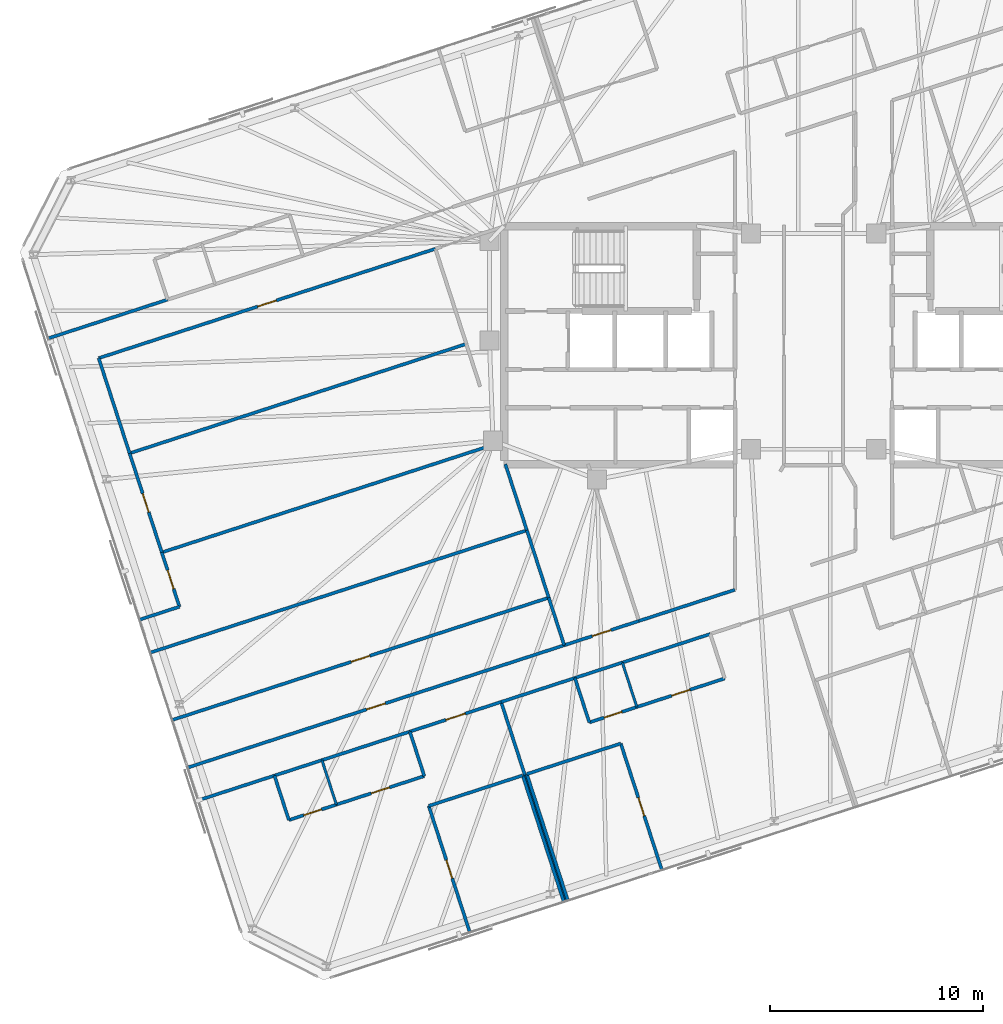
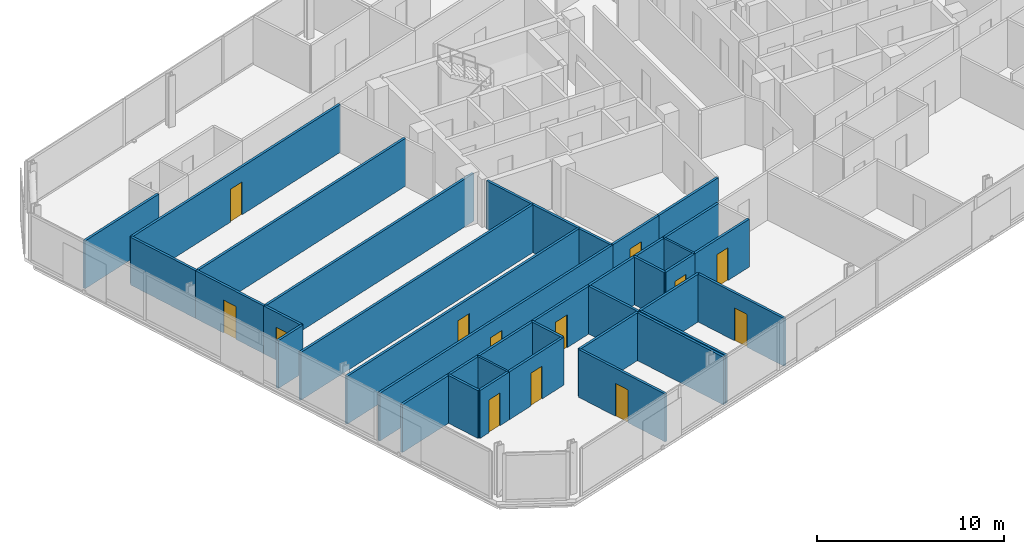
# One storey, part 13 of 19: 39 walls, 13 doors, 13 openings.
"""IFC4 building model written with IfcOpenShell, lengths in metres."""

from ifc_helpers import new_model, si_unit, direction, frame, frame_2d, origin, place, context, subcontext, project, spatial, rectangle, extrude, material, layer, layer_set, type_object, element, fill, save


model = new_model("IFC4")

# Units and contexts
model_context = context("Model", 3, precision=1e-05, world=origin(), true_north=direction((0.0, 1.0)))
body_context = subcontext(model_context, "Body", "Model", "MODEL_VIEW")
ifc_project = project(units=[si_unit("LENGTHUNIT", "METRE"), si_unit("AREAUNIT", "SQUARE_METRE"), si_unit("VOLUMEUNIT", "CUBIC_METRE"), si_unit("PLANEANGLEUNIT", "RADIAN"), si_unit("MASSUNIT", "GRAM", prefix="KILO")], contexts=[model_context])

# Site, building, storey
site_placement = place(None, origin())
site = spatial("IfcSite", under=ifc_project, at=site_placement, CompositionType="ELEMENT")
building_placement = place(site_placement, origin())
building = spatial("IfcBuilding", under=site, at=building_placement, Name="Menara Jurai Vektor", CompositionType="ELEMENT")
storey_placement = place(building_placement, frame((0.0, 0.0, 241.050048828125)))
storey = spatial("IfcBuildingStorey", under=building, at=storey_placement, Name="L64", CompositionType="ELEMENT", Elevation=241.050048828125)

# Walls
ifc_material_1 = material(Name="Gypsum Fireboard Partition", Category="gypsum")
ifc_layer_1 = layer(ifc_material_1, 0.14990234375)
ifc_layer_set_1 = layer_set([ifc_layer_1], Name="Gypsum Fireboard Partition")
wall_type_1 = type_object("IfcWallType", Name="INT-WALL-CORR-150", PredefinedType="PARTITIONING", material=ifc_layer_set_1)
wall_1_placement = place(storey_placement, frame((-36.01220703125, 0.314208984375, 0.0), z_axis=(0.0, 0.0, 1.0), x_axis=(0.951065348244, 0.308989811111, 0.0)))
element("IfcWall", 1, at=wall_1_placement, inside=storey, type_object=wall_type_1, Name="Interior Wall IW-150 L64", PredefinedType="PARTITIONING", context=body_context, shape_type="SweptSolid", body=[
    extrude(rectangle(XDim=5.906982421875, YDim=0.14990234375, at=frame_2d((2.95361328125, 0.0))), origin(), (0.0, 0.0, 1.0), 3.125),
])
wall_2_placement = place(storey_placement, frame((-28.949951171875, -21.42138671875, 0.0), z_axis=(0.0, 0.0, 1.0), x_axis=(0.951052151329, 0.309030428036, 0.0)))
element("IfcWall", 2, at=wall_2_placement, inside=storey, type_object=wall_type_1, Name="Interior Wall IW-150 L64", PredefinedType="PARTITIONING", context=body_context, shape_type="SweptSolid", body=[
    extrude(rectangle(XDim=3.77001953125, YDim=0.14990234375, at=frame_2d((1.885009765625, 0.0))), origin(), (0.0, 0.0, 1.0), 3.125),
])

# Wall, opening, door
wall_3_placement = place(storey_placement, frame((-18.992431640625, -18.185791015625, 0.0), z_axis=(0.0, 0.0, 1.0), x_axis=(0.951067846467, 0.308982121516, 0.0)))
wall_3 = element("IfcWall", 3, at=wall_3_placement, inside=storey, type_object=wall_type_1, Name="Interior Wall IW-150 L64", PredefinedType="PARTITIONING", context=body_context, shape_type="SweptSolid", body=[
    extrude(rectangle(XDim=4.51416015625, YDim=0.14990234375, at=frame_2d((2.257080078125, 0.0))), origin(), (0.0, 0.0, 1.0), 3.125),
])
opening_1_placement = place(wall_3_placement, frame((1.781982421875, 0.0, 0.0)))
opening_1 = element("IfcOpeningElement", 4, at=opening_1_placement, cuts=wall_3, Name="Opening D64-17", PredefinedType="OPENING", context=body_context, shape_type="SweptSolid", body=[
    extrude(rectangle(XDim=0.949951171875, YDim=2.14990234375, at=frame_2d((0.47509765625, 1.074951171875))), frame((0.0, 0.0849609375, 0.0), z_axis=(0.0, -1.0, 0.0), x_axis=(1.0, 0.0, 0.0)), (0.0, 0.0, 1.0), 0.169921875),
])
ifc_material_2 = material(Name="Solid Core Timber Fire Door", Category="wood")
door_type_1 = type_object("IfcDoorType", Name="DR-ENTRY-950", OperationType="NOTDEFINED", PredefinedType="DOOR", material=ifc_material_2)
door_1_placement = place(opening_1_placement, origin())
door_1 = element("IfcDoor", 5, at=door_1_placement, inside=storey, type_object=door_type_1, Name="Interior Door D64-17", OperationType="SINGLE_SWING_RIGHT", OverallHeight=2.14990234375, OverallWidth=0.949951171875, PredefinedType="DOOR", context=body_context, shape_type="SweptSolid", body=[
    extrude(rectangle(XDim=0.949951171875, YDim=2.14990234375, at=frame_2d((0.47509765625, 1.074951171875))), frame((0.0, 0.02490234375, 0.0), z_axis=(0.0, -1.0, 0.0), x_axis=(1.0, 0.0, 0.0)), (0.0, 0.0, 1.0), 0.050048828125),
])
fill(opening_1, door_1)

# Walls
wall_4_placement = place(storey_placement, frame((-25.364501953125, -20.25634765625, 0.0), z_axis=(0.0, 0.0, 1.0), x_axis=(0.951076048914, 0.308956872689, 0.0)))
element("IfcWall", 6, at=wall_4_placement, inside=storey, type_object=wall_type_1, Name="Interior Wall IW-150 L64", PredefinedType="PARTITIONING", context=body_context, shape_type="SweptSolid", body=[
    extrude(rectangle(XDim=2.35009765625, YDim=0.14990234375, at=frame_2d((1.175048828125, 0.0))), origin(), (0.0, 0.0, 1.0), 3.125),
])
wall_5_placement = place(storey_placement, frame((-23.12939453125, -19.5302734375, 0.0), z_axis=(0.0, 0.0, 1.0), x_axis=(0.951036130958, 0.309079726951, 0.0)))
element("IfcWall", 7, at=wall_5_placement, inside=storey, type_object=wall_type_1, Name="Interior Wall IW-150 L64", PredefinedType="PARTITIONING", context=body_context, shape_type="SweptSolid", body=[
    extrude(rectangle(XDim=4.349853515625, YDim=0.14990234375, at=frame_2d((2.1748046875, 0.0))), origin(), (0.0, 0.0, 1.0), 3.125),
])
wall_6_placement = place(storey_placement, frame((-14.69921875, -16.791015625, 0.0), z_axis=(0.0, 0.0, 1.0), x_axis=(0.951050780541, 0.309034646652, 0.0)))
element("IfcWall", 8, at=wall_6_placement, inside=storey, type_object=wall_type_1, Name="Interior Wall IW-150 L64", PredefinedType="PARTITIONING", context=body_context, shape_type="SweptSolid", body=[
    extrude(rectangle(XDim=3.64990234375, YDim=0.14990234375, at=frame_2d((1.824951171875, 0.0))), origin(), (0.0, 0.0, 1.0), 3.125),
])
wall_7_placement = place(storey_placement, frame((-11.22802734375, -15.6630859375, 0.0), z_axis=(0.0, 0.0, 1.0), x_axis=(0.951076048914, 0.308956872689, 0.0)))
element("IfcWall", 9, at=wall_7_placement, inside=storey, type_object=wall_type_1, Name="Interior Wall IW-150 L64", PredefinedType="PARTITIONING", context=body_context, shape_type="SweptSolid", body=[
    extrude(rectangle(XDim=2.35009765625, YDim=0.14990234375, at=frame_2d((1.175048828125, 0.0))), origin(), (0.0, 0.0, 1.0), 3.125),
])
wall_8_placement = place(storey_placement, frame((-8.992919921875, -14.93701171875, 0.0), z_axis=(0.0, 0.0, 1.0), x_axis=(0.951052627573, 0.309028962374, 0.0)))
element("IfcWall", 10, at=wall_8_placement, inside=storey, type_object=wall_type_1, Name="Interior Wall IW-150 L64", PredefinedType="PARTITIONING", context=body_context, shape_type="SweptSolid", body=[
    extrude(rectangle(XDim=4.349853515625, YDim=0.14990234375, at=frame_2d((2.1748046875, 0.0))), origin(), (0.0, 0.0, 1.0), 3.125),
])

# Wall, opening, door
wall_9_placement = place(storey_placement, frame((-29.450439453125, -19.880615234375, 0.0), z_axis=(0.0, 0.0, 1.0), x_axis=(0.95105650271, 0.309017036186, 0.0)))
wall_9 = element("IfcWall", 11, at=wall_9_placement, inside=storey, type_object=wall_type_1, Name="Interior Wall IW-150 L64", PredefinedType="PARTITIONING", context=body_context, shape_type="SweptSolid", body=[
    extrude(rectangle(XDim=18.6318359375, YDim=0.14990234375, at=frame_2d((9.31591796875, 0.0))), origin(), (0.0, 0.0, 1.0), 3.125),
])
opening_2_placement = place(wall_9_placement, frame((8.85595703125, 0.0, 0.0)))
opening_2 = element("IfcOpeningElement", 12, at=opening_2_placement, cuts=wall_9, Name="Opening D64-33", PredefinedType="OPENING", context=body_context, shape_type="SweptSolid", body=[
    extrude(rectangle(XDim=0.919921875, YDim=2.14990234375, at=frame_2d((0.4599609375, 1.074951171875))), frame((0.0, 0.0849609375, 0.0), z_axis=(0.0, -1.0, 0.0), x_axis=(1.0, 0.0, 0.0)), (0.0, 0.0, 1.0), 0.169921875),
])
door_2_placement = place(opening_2_placement, origin())
door_2 = element("IfcDoor", 13, at=door_2_placement, inside=storey, type_object=door_type_1, Name="Interior Door D64-33", OperationType="SINGLE_SWING_RIGHT", OverallHeight=2.14990234375, OverallWidth=0.919921875, PredefinedType="DOOR", context=body_context, shape_type="SweptSolid", body=[
    extrude(rectangle(XDim=0.919921875, YDim=2.14990234375, at=frame_2d((0.4599609375, 1.074951171875))), frame((0.0, 0.02490234375, 0.0), z_axis=(0.0, -1.0, 0.0), x_axis=(1.0, 0.0, 0.0)), (0.0, 0.0, 1.0), 0.050048828125),
])
fill(opening_2, door_2)

# Wall
wall_10_placement = place(storey_placement, frame((-31.7119140625, -12.9208984375, 0.0), z_axis=(0.0, 0.0, 1.0), x_axis=(0.951054051148, 0.309024581215, 0.0)))
element("IfcWall", 14, at=wall_10_placement, inside=storey, type_object=wall_type_1, Name="Interior Wall IW-150 L64", PredefinedType="PARTITIONING", context=body_context, shape_type="SweptSolid", body=[
    extrude(rectangle(XDim=1.97509765625, YDim=0.14990234375, at=frame_2d((0.987548828125, 0.0))), origin(), (0.0, 0.0, 1.0), 3.125),
])

# Wall, opening, door
wall_11_placement = place(storey_placement, frame((-29.83349609375, -12.310546875, 0.0), z_axis=(0.0, 0.0, 1.0), x_axis=(-0.309044953986, 0.951047431213, 0.0)))
wall_11 = element("IfcWall", 15, at=wall_11_placement, inside=storey, type_object=wall_type_1, Name="Interior Wall IW-150 L64", PredefinedType="PARTITIONING", context=body_context, shape_type="SweptSolid", body=[
    extrude(rectangle(XDim=2.68505859375, YDim=0.14990234375, at=frame_2d((1.342529296875, 0.0))), origin(), (0.0, 0.0, 1.0), 3.125),
])
opening_3_placement = place(wall_11_placement, frame((0.882568359375, 0.0, 0.0)))
opening_3 = element("IfcOpeningElement", 16, at=opening_3_placement, cuts=wall_11, Name="Opening D64-35", PredefinedType="OPENING", context=body_context, shape_type="SweptSolid", body=[
    extrude(rectangle(XDim=0.919921875, YDim=2.14990234375, at=frame_2d((0.4599609375, 1.074951171875))), frame((0.0, 0.0849609375, 0.0), z_axis=(0.0, -1.0, 0.0), x_axis=(1.0, 0.0, 0.0)), (0.0, 0.0, 1.0), 0.169921875),
])
door_3_placement = place(opening_3_placement, origin())
door_3 = element("IfcDoor", 17, at=door_3_placement, inside=storey, type_object=door_type_1, Name="Interior Door D64-35", OperationType="SINGLE_SWING_RIGHT", OverallHeight=2.14990234375, OverallWidth=0.919921875, PredefinedType="DOOR", context=body_context, shape_type="SweptSolid", body=[
    extrude(rectangle(XDim=0.919921875, YDim=2.14990234375, at=frame_2d((0.4599609375, 1.074951171875))), frame((0.0, 0.02490234375, 0.0), z_axis=(0.0, -1.0, 0.0), x_axis=(1.0, 0.0, 0.0)), (0.0, 0.0, 1.0), 0.050048828125),
])
fill(opening_3, door_3)

wall_12_placement = place(storey_placement, frame((-30.663330078125, -9.7568359375, 0.0), z_axis=(0.0, 0.0, 1.0), x_axis=(-0.309019653166, 0.951055652397, 0.0)))
wall_12 = element("IfcWall", 18, at=wall_12_placement, inside=storey, type_object=wall_type_1, Name="Interior Wall IW-150 L64", PredefinedType="PARTITIONING", context=body_context, shape_type="SweptSolid", body=[
    extrude(rectangle(XDim=4.90380859375, YDim=0.14990234375, at=frame_2d((2.451904296875, 0.0))), origin(), (0.0, 0.0, 1.0), 3.125),
])
opening_4_placement = place(wall_12_placement, frame((1.991943359375, 0.0, 0.0)))
opening_4 = element("IfcOpeningElement", 19, at=opening_4_placement, cuts=wall_12, Name="Opening D64-36", PredefinedType="OPENING", context=body_context, shape_type="SweptSolid", body=[
    extrude(rectangle(XDim=0.919921875, YDim=2.14990234375, at=frame_2d((0.4599609375, 1.074951171875))), frame((0.0, 0.0849609375, 0.0), z_axis=(0.0, -1.0, 0.0), x_axis=(1.0, 0.0, 0.0)), (0.0, 0.0, 1.0), 0.169921875),
])
door_4_placement = place(opening_4_placement, origin())
door_4 = element("IfcDoor", 20, at=door_4_placement, inside=storey, type_object=door_type_1, Name="Interior Door D64-36", OperationType="SINGLE_SWING_LEFT", OverallHeight=2.14990234375, OverallWidth=0.919921875, PredefinedType="DOOR", context=body_context, shape_type="SweptSolid", body=[
    extrude(rectangle(XDim=0.919921875, YDim=2.14990234375, at=frame_2d((0.4599609375, 1.074951171875))), frame((0.0, 0.02490234375, 0.0), z_axis=(0.0, -1.0, 0.0), x_axis=(1.0, 0.0, 0.0)), (0.0, 0.0, 1.0), 0.050048828125),
])
fill(opening_4, door_4)

# Wall
wall_13_placement = place(storey_placement, frame((-32.1787109375, -5.093017578125, 0.0), z_axis=(0.0, 0.0, 1.0), x_axis=(-0.309014532869, 0.951057316083, 0.0)))
element("IfcWall", 21, at=wall_13_placement, inside=storey, type_object=wall_type_1, Name="Interior Wall IW-150 L64", PredefinedType="PARTITIONING", context=body_context, shape_type="SweptSolid", body=[
    extrude(rectangle(XDim=4.707275390625, YDim=0.14990234375, at=frame_2d((2.353515625, 0.0))), origin(), (0.0, 0.0, 1.0), 3.125),
])

# Wall, opening, door
wall_14_placement = place(storey_placement, frame((-33.63330078125, -0.6162109375, 0.0), z_axis=(0.0, 0.0, 1.0), x_axis=(0.951058192995, 0.309011833974, 0.0)))
wall_14 = element("IfcWall", 22, at=wall_14_placement, inside=storey, type_object=wall_type_1, Name="Interior Wall IW-150 L64", PredefinedType="PARTITIONING", context=body_context, shape_type="SweptSolid", body=[
    extrude(rectangle(XDim=16.656982421875, YDim=0.14990234375, at=frame_2d((8.32861328125, 0.0))), origin(), (0.0, 0.0, 1.0), 3.125),
])
opening_5_placement = place(wall_14_placement, frame((7.868408203125, 0.0, 0.0)))
opening_5 = element("IfcOpeningElement", 23, at=opening_5_placement, cuts=wall_14, Name="Opening D64-37", PredefinedType="OPENING", context=body_context, shape_type="SweptSolid", body=[
    extrude(rectangle(XDim=0.919921875, YDim=2.14990234375, at=frame_2d((0.4599609375, 1.074951171875))), frame((0.0, 0.0849609375, 0.0), z_axis=(0.0, -1.0, 0.0), x_axis=(1.0, 0.0, 0.0)), (0.0, 0.0, 1.0), 0.169921875),
])
door_5_placement = place(opening_5_placement, origin())
door_5 = element("IfcDoor", 24, at=door_5_placement, inside=storey, type_object=door_type_1, Name="Interior Door D64-37", OperationType="SINGLE_SWING_RIGHT", OverallHeight=2.14990234375, OverallWidth=0.919921875, PredefinedType="DOOR", context=body_context, shape_type="SweptSolid", body=[
    extrude(rectangle(XDim=0.919921875, YDim=2.14990234375, at=frame_2d((0.4599609375, 1.074951171875))), frame((0.0, 0.02490234375, 0.0), z_axis=(0.0, -1.0, 0.0), x_axis=(1.0, 0.0, 0.0)), (0.0, 0.0, 1.0), 0.050048828125),
])
fill(opening_5, door_5)

wall_15_placement = place(storey_placement, frame((-11.73046875, -14.123046875, 0.0), z_axis=(0.0, 0.0, 1.0), x_axis=(0.951052502763, 0.309029346483, 0.0)))
wall_15 = element("IfcWall", 25, at=wall_15_placement, inside=storey, type_object=wall_type_1, Name="Interior Wall IW-150 L64", PredefinedType="PARTITIONING", context=body_context, shape_type="SweptSolid", body=[
    extrude(rectangle(XDim=3.697998046875, YDim=0.14990234375, at=frame_2d((1.84912109375, 0.0))), origin(), (0.0, 0.0, 1.0), 3.125),
])
opening_6_placement = place(wall_15_placement, frame((1.388916015625, 0.0, 0.0)))
opening_6 = element("IfcOpeningElement", 26, at=opening_6_placement, cuts=wall_15, Name="Opening D64-42", PredefinedType="OPENING", context=body_context, shape_type="SweptSolid", body=[
    extrude(rectangle(XDim=0.919921875, YDim=2.14990234375, at=frame_2d((0.4599609375, 1.074951171875))), frame((0.0, 0.0849609375, 0.0), z_axis=(0.0, -1.0, 0.0), x_axis=(1.0, 0.0, 0.0)), (0.0, 0.0, 1.0), 0.169921875),
])
door_6_placement = place(opening_6_placement, origin())
door_6 = element("IfcDoor", 27, at=door_6_placement, inside=storey, type_object=door_type_1, Name="Interior Door D64-42", OperationType="SINGLE_SWING_LEFT", OverallHeight=2.14990234375, OverallWidth=0.919921875, PredefinedType="DOOR", context=body_context, shape_type="SweptSolid", body=[
    extrude(rectangle(XDim=0.919921875, YDim=2.14990234375, at=frame_2d((0.4599609375, 1.074951171875))), frame((0.0, 0.02490234375, 0.0), z_axis=(0.0, -1.0, 0.0), x_axis=(1.0, 0.0, 0.0)), (0.0, 0.0, 1.0), 0.050048828125),
])
fill(opening_6, door_6)

# Walls
wall_16_placement = place(storey_placement, frame((-8.21337890625, -12.980224609375, 0.0), z_axis=(0.0, 0.0, 1.0), x_axis=(0.951058260096, 0.309011627456, 0.0)))
element("IfcWall", 28, at=wall_16_placement, inside=storey, type_object=wall_type_1, Name="Interior Wall IW-150 L64", PredefinedType="PARTITIONING", context=body_context, shape_type="SweptSolid", body=[
    extrude(rectangle(XDim=4.745849609375, YDim=0.14990234375, at=frame_2d((2.373046875, 0.0))), origin(), (0.0, 0.0, 1.0), 3.125),
])
wall_17_placement = place(storey_placement, frame((-24.6845703125, -22.3486328125, 0.0), z_axis=(0.0, 0.0, 1.0), x_axis=(-0.309060979314, 0.951042223598, 0.0)))
element("IfcWall", 29, at=wall_17_placement, inside=storey, type_object=wall_type_1, Name="Interior Wall IW-150 L64", PredefinedType="PARTITIONING", context=body_context, shape_type="SweptSolid", body=[
    extrude(rectangle(XDim=2.199951171875, YDim=0.14990234375, at=frame_2d((1.10009765625, 0.0))), origin(), (0.0, 0.0, 1.0), 3.125),
])

# Wall, opening, door
wall_18_placement = place(storey_placement, frame((-24.6845703125, -22.3486328125, 0.0), z_axis=(0.0, 0.0, 1.0), x_axis=(0.951066131077, 0.308987401554, 0.0)))
wall_18 = element("IfcWall", 30, at=wall_18_placement, inside=storey, type_object=wall_type_1, Name="Interior Wall IW-150 L64", PredefinedType="PARTITIONING", context=body_context, shape_type="SweptSolid", body=[
    extrude(rectangle(XDim=2.349853515625, YDim=0.14990234375, at=frame_2d((1.1748046875, 0.0))), origin(), (0.0, 0.0, 1.0), 3.125),
])
opening_7_placement = place(wall_18_placement, frame((0.735107421875, 0.0, 0.0)))
opening_7 = element("IfcOpeningElement", 31, at=opening_7_placement, cuts=wall_18, Name="Opening D64-18", PredefinedType="OPENING", context=body_context, shape_type="SweptSolid", body=[
    extrude(rectangle(XDim=0.8798828125, YDim=2.14990234375, at=frame_2d((0.43994140625, 1.074951171875))), frame((0.0, 0.0849609375, 0.0), z_axis=(0.0, -1.0, 0.0), x_axis=(1.0, 0.0, 0.0)), (0.0, 0.0, 1.0), 0.169921875),
])
ifc_material_3 = material(Name="Moisture-Resistant Timber Door", Category="wood")
door_type_2 = type_object("IfcDoorType", Name="DR-BATH-880", OperationType="NOTDEFINED", PredefinedType="DOOR", material=ifc_material_3)
door_7_placement = place(opening_7_placement, origin())
door_7 = element("IfcDoor", 32, at=door_7_placement, inside=storey, type_object=door_type_2, Name="Interior Door D64-18", OperationType="SINGLE_SWING_LEFT", OverallHeight=2.14990234375, OverallWidth=0.8798828125, PredefinedType="DOOR", context=body_context, shape_type="SweptSolid", body=[
    extrude(rectangle(XDim=0.8798828125, YDim=2.14990234375, at=frame_2d((0.43994140625, 1.074951171875))), frame((0.0, 0.02490234375, 0.0), z_axis=(0.0, -1.0, 0.0), x_axis=(1.0, 0.0, 0.0)), (0.0, 0.0, 1.0), 0.050048828125),
])
fill(opening_7, door_7)

wall_19_placement = place(storey_placement, frame((-22.44970703125, -21.62255859375, 0.0), z_axis=(0.0, 0.0, 1.0), x_axis=(0.951057987102, 0.309012467661, 0.0)))
wall_19 = element("IfcWall", 33, at=wall_19_placement, inside=storey, type_object=wall_type_1, Name="Interior Wall IW-150 L64", PredefinedType="PARTITIONING", context=body_context, shape_type="SweptSolid", body=[
    extrude(rectangle(XDim=4.35009765625, YDim=0.14990234375, at=frame_2d((2.175048828125, 0.0))), origin(), (0.0, 0.0, 1.0), 3.125),
])
opening_8_placement = place(wall_19_placement, frame((1.72509765625, 0.0, 0.0)))
opening_8 = element("IfcOpeningElement", 34, at=opening_8_placement, cuts=wall_19, Name="Opening D64-19", PredefinedType="OPENING", context=body_context, shape_type="SweptSolid", body=[
    extrude(rectangle(XDim=0.89990234375, YDim=2.14990234375, at=frame_2d((0.449951171875, 1.074951171875))), frame((0.0, 0.0849609375, 0.0), z_axis=(0.0, -1.0, 0.0), x_axis=(1.0, 0.0, 0.0)), (0.0, 0.0, 1.0), 0.169921875),
])
ifc_material_4 = material(Name="Acoustic Timber Interior Door", Category="wood")
door_type_3 = type_object("IfcDoorType", Name="DR-ROOM-900", OperationType="NOTDEFINED", PredefinedType="DOOR", material=ifc_material_4)
door_8_placement = place(opening_8_placement, origin())
door_8 = element("IfcDoor", 35, at=door_8_placement, inside=storey, type_object=door_type_3, Name="Interior Door D64-19", OperationType="SINGLE_SWING_RIGHT", OverallHeight=2.14990234375, OverallWidth=0.89990234375, PredefinedType="DOOR", context=body_context, shape_type="SweptSolid", body=[
    extrude(rectangle(XDim=0.89990234375, YDim=2.14990234375, at=frame_2d((0.449951171875, 1.074951171875))), frame((0.0, 0.02490234375, 0.0), z_axis=(0.0, -1.0, 0.0), x_axis=(1.0, 0.0, 0.0)), (0.0, 0.0, 1.0), 0.050048828125),
])
fill(opening_8, door_8)

# Wall
wall_20_placement = place(storey_placement, frame((-18.3125, -20.2783203125, 0.0), z_axis=(0.0, 0.0, 1.0), x_axis=(-0.309028364152, 0.951052821956, 0.0)))
element("IfcWall", 36, at=wall_20_placement, inside=storey, type_object=wall_type_1, Name="Interior Wall IW-150 L64", PredefinedType="PARTITIONING", context=body_context, shape_type="SweptSolid", body=[
    extrude(rectangle(XDim=2.2001953125, YDim=0.14990234375, at=frame_2d((1.10009765625, 0.0))), origin(), (0.0, 0.0, 1.0), 3.125),
])

# Wall, opening, door
wall_21_placement = place(storey_placement, frame((-16.169189453125, -27.63818359375, 0.0), z_axis=(0.0, 0.0, 1.0), x_axis=(-0.309049046683, 0.951046101272, 0.0)))
wall_21 = element("IfcWall", 37, at=wall_21_placement, inside=storey, type_object=wall_type_1, Name="Interior Wall IW-150 L64", PredefinedType="PARTITIONING", context=body_context, shape_type="SweptSolid", body=[
    extrude(rectangle(XDim=6.26220703125, YDim=0.14990234375, at=frame_2d((3.131103515625, 0.0))), origin(), (0.0, 0.0, 1.0), 3.125),
])
opening_9_placement = place(wall_21_placement, frame((2.680908203125, 0.0, 0.0)))
opening_9 = element("IfcOpeningElement", 38, at=opening_9_placement, cuts=wall_21, Name="Opening D64-20", PredefinedType="OPENING", context=body_context, shape_type="SweptSolid", body=[
    extrude(rectangle(XDim=0.89990234375, YDim=2.14990234375, at=frame_2d((0.449951171875, 1.074951171875))), frame((0.0, 0.0849609375, 0.0), z_axis=(0.0, -1.0, 0.0), x_axis=(1.0, 0.0, 0.0)), (0.0, 0.0, 1.0), 0.169921875),
])
door_9_placement = place(opening_9_placement, origin())
door_9 = element("IfcDoor", 39, at=door_9_placement, inside=storey, type_object=door_type_3, Name="Interior Door D64-20", OperationType="SINGLE_SWING_LEFT", OverallHeight=2.14990234375, OverallWidth=0.89990234375, PredefinedType="DOOR", context=body_context, shape_type="SweptSolid", body=[
    extrude(rectangle(XDim=0.89990234375, YDim=2.14990234375, at=frame_2d((0.449951171875, 1.074951171875))), frame((0.0, 0.02490234375, 0.0), z_axis=(0.0, -1.0, 0.0), x_axis=(1.0, 0.0, 0.0)), (0.0, 0.0, 1.0), 0.050048828125),
])
fill(opening_9, door_9)

# Walls
wall_22_placement = place(storey_placement, frame((-18.1044921875, -21.6826171875, 0.0), z_axis=(0.0, 0.0, 1.0), x_axis=(0.951055286502, 0.309020779263, 0.0)))
element("IfcWall", 40, at=wall_22_placement, inside=storey, type_object=wall_type_1, Name="Interior Wall IW-150 L64", PredefinedType="PARTITIONING", context=body_context, shape_type="SweptSolid", body=[
    extrude(rectangle(XDim=4.650146484375, YDim=0.14990234375, at=frame_2d((2.3251953125, 0.0))), origin(), (0.0, 0.0, 1.0), 3.125),
])
wall_23_placement = place(storey_placement, frame((-11.746826171875, -26.201171875, 0.0), z_axis=(0.0, 0.0, 1.0), x_axis=(-0.309013782848, 0.951057559777, 0.0)))
element("IfcWall", 41, at=wall_23_placement, inside=storey, type_object=wall_type_1, Name="Interior Wall IW-150 L64", PredefinedType="PARTITIONING", context=body_context, shape_type="SweptSolid", body=[
    extrude(rectangle(XDim=6.261962890625, YDim=0.14990234375, at=frame_2d((3.130859375, 0.0))), origin(), (0.0, 0.0, 1.0), 3.125),
])
wall_24_placement = place(storey_placement, frame((-11.65185546875, -26.17041015625, 0.0), z_axis=(0.0, 0.0, 1.0), x_axis=(-0.308999867152, 0.951062081097, 0.0)))
element("IfcWall", 42, at=wall_24_placement, inside=storey, type_object=wall_type_1, Name="Interior Wall IW-150 L64", PredefinedType="PARTITIONING", context=body_context, shape_type="SweptSolid", body=[
    extrude(rectangle(XDim=9.862060546875, YDim=0.14990234375, at=frame_2d((4.93115234375, 0.0))), origin(), (0.0, 0.0, 1.0), 3.125),
])
wall_25_placement = place(storey_placement, frame((-10.548095703125, -17.75537109375, 0.0), z_axis=(0.0, 0.0, 1.0), x_axis=(-0.309060979314, 0.951042223598, 0.0)))
element("IfcWall", 43, at=wall_25_placement, inside=storey, type_object=wall_type_1, Name="Interior Wall IW-150 L64", PredefinedType="PARTITIONING", context=body_context, shape_type="SweptSolid", body=[
    extrude(rectangle(XDim=2.199951171875, YDim=0.14990234375, at=frame_2d((1.10009765625, 0.0))), origin(), (0.0, 0.0, 1.0), 3.125),
])

# Wall, opening, door
wall_26_placement = place(storey_placement, frame((-10.548095703125, -17.75537109375, 0.0), z_axis=(0.0, 0.0, 1.0), x_axis=(0.951076048914, 0.308956872689, 0.0)))
wall_26 = element("IfcWall", 44, at=wall_26_placement, inside=storey, type_object=wall_type_1, Name="Interior Wall IW-150 L64", PredefinedType="PARTITIONING", context=body_context, shape_type="SweptSolid", body=[
    extrude(rectangle(XDim=2.35009765625, YDim=0.14990234375, at=frame_2d((1.175048828125, 0.0))), origin(), (0.0, 0.0, 1.0), 3.125),
])
opening_10_placement = place(wall_26_placement, frame((0.735107421875, 0.0, 0.0)))
opening_10 = element("IfcOpeningElement", 45, at=opening_10_placement, cuts=wall_26, Name="Opening D64-22", PredefinedType="OPENING", context=body_context, shape_type="SweptSolid", body=[
    extrude(rectangle(XDim=0.8798828125, YDim=2.14990234375, at=frame_2d((0.43994140625, 1.074951171875))), frame((0.0, 0.0849609375, 0.0), z_axis=(0.0, -1.0, 0.0), x_axis=(1.0, 0.0, 0.0)), (0.0, 0.0, 1.0), 0.169921875),
])
door_10_placement = place(opening_10_placement, origin())
door_10 = element("IfcDoor", 46, at=door_10_placement, inside=storey, type_object=door_type_2, Name="Interior Door D64-22", OperationType="SINGLE_SWING_LEFT", OverallHeight=2.14990234375, OverallWidth=0.8798828125, PredefinedType="DOOR", context=body_context, shape_type="SweptSolid", body=[
    extrude(rectangle(XDim=0.8798828125, YDim=2.14990234375, at=frame_2d((0.43994140625, 1.074951171875))), frame((0.0, 0.02490234375, 0.0), z_axis=(0.0, -1.0, 0.0), x_axis=(1.0, 0.0, 0.0)), (0.0, 0.0, 1.0), 0.050048828125),
])
fill(opening_10, door_10)

wall_27_placement = place(storey_placement, frame((-8.31298828125, -17.029296875, 0.0), z_axis=(0.0, 0.0, 1.0), x_axis=(0.951052627573, 0.309028962374, 0.0)))
wall_27 = element("IfcWall", 47, at=wall_27_placement, inside=storey, type_object=wall_type_1, Name="Interior Wall IW-150 L64", PredefinedType="PARTITIONING", context=body_context, shape_type="SweptSolid", body=[
    extrude(rectangle(XDim=4.349853515625, YDim=0.14990234375, at=frame_2d((2.1748046875, 0.0))), origin(), (0.0, 0.0, 1.0), 3.125),
])
opening_11_placement = place(wall_27_placement, frame((1.72509765625, 0.0, 0.0)))
opening_11 = element("IfcOpeningElement", 48, at=opening_11_placement, cuts=wall_27, Name="Opening D64-23", PredefinedType="OPENING", context=body_context, shape_type="SweptSolid", body=[
    extrude(rectangle(XDim=0.89990234375, YDim=2.14990234375, at=frame_2d((0.449951171875, 1.074951171875))), frame((0.0, 0.0849609375, 0.0), z_axis=(0.0, -1.0, 0.0), x_axis=(1.0, 0.0, 0.0)), (0.0, 0.0, 1.0), 0.169921875),
])
door_11_placement = place(opening_11_placement, origin())
door_11 = element("IfcDoor", 49, at=door_11_placement, inside=storey, type_object=door_type_3, Name="Interior Door D64-23", OperationType="SINGLE_SWING_RIGHT", OverallHeight=2.14990234375, OverallWidth=0.89990234375, PredefinedType="DOOR", context=body_context, shape_type="SweptSolid", body=[
    extrude(rectangle(XDim=0.89990234375, YDim=2.14990234375, at=frame_2d((0.449951171875, 1.074951171875))), frame((0.0, 0.02490234375, 0.0), z_axis=(0.0, -1.0, 0.0), x_axis=(1.0, 0.0, 0.0)), (0.0, 0.0, 1.0), 0.050048828125),
])
fill(opening_11, door_11)

# Walls
wall_28_placement = place(storey_placement, frame((-11.556640625, -26.139404296875, 0.0), z_axis=(0.0, 0.0, 1.0), x_axis=(-0.309013782848, 0.951057559777, 0.0)))
element("IfcWall", 50, at=wall_28_placement, inside=storey, type_object=wall_type_1, Name="Interior Wall IW-150 L64", PredefinedType="PARTITIONING", context=body_context, shape_type="SweptSolid", body=[
    extrude(rectangle(XDim=6.261962890625, YDim=0.14990234375, at=frame_2d((3.130859375, 0.0))), origin(), (0.0, 0.0, 1.0), 3.125),
])
wall_29_placement = place(storey_placement, frame((-13.49169921875, -20.183837890625, 0.0), z_axis=(0.0, 0.0, 1.0), x_axis=(0.951065702951, 0.308988719326, 0.0)))
element("IfcWall", 51, at=wall_29_placement, inside=storey, type_object=wall_type_1, Name="Interior Wall IW-150 L64", PredefinedType="PARTITIONING", context=body_context, shape_type="SweptSolid", body=[
    extrude(rectangle(XDim=4.64990234375, YDim=0.14990234375, at=frame_2d((2.324951171875, 0.0))), origin(), (0.0, 0.0, 1.0), 3.125),
])

# Wall, opening, door
wall_30_placement = place(storey_placement, frame((-7.13427734375, -24.702392578125, 0.0), z_axis=(0.0, 0.0, 1.0), x_axis=(-0.30902524124, 0.951053836687, 0.0)))
wall_30 = element("IfcWall", 52, at=wall_30_placement, inside=storey, type_object=wall_type_1, Name="Interior Wall IW-150 L64", PredefinedType="PARTITIONING", context=body_context, shape_type="SweptSolid", body=[
    extrude(rectangle(XDim=6.26171875, YDim=0.14990234375, at=frame_2d((3.130859375, 0.0))), origin(), (0.0, 0.0, 1.0), 3.125),
])
opening_12_placement = place(wall_30_placement, frame((2.680908203125, 0.0, 0.0)))
opening_12 = element("IfcOpeningElement", 53, at=opening_12_placement, cuts=wall_30, Name="Opening D64-24", PredefinedType="OPENING", context=body_context, shape_type="SweptSolid", body=[
    extrude(rectangle(XDim=0.89990234375, YDim=2.14990234375, at=frame_2d((0.449951171875, 1.074951171875))), frame((0.0, 0.0849609375, 0.0), z_axis=(0.0, -1.0, 0.0), x_axis=(1.0, 0.0, 0.0)), (0.0, 0.0, 1.0), 0.169921875),
])
door_12_placement = place(opening_12_placement, origin())
door_12 = element("IfcDoor", 54, at=door_12_placement, inside=storey, type_object=door_type_3, Name="Interior Door D64-24", OperationType="SINGLE_SWING_LEFT", OverallHeight=2.14990234375, OverallWidth=0.89990234375, PredefinedType="DOOR", context=body_context, shape_type="SweptSolid", body=[
    extrude(rectangle(XDim=0.89990234375, YDim=2.14990234375, at=frame_2d((0.449951171875, 1.074951171875))), frame((0.0, 0.02490234375, 0.0), z_axis=(0.0, -1.0, 0.0), x_axis=(1.0, 0.0, 0.0)), (0.0, 0.0, 1.0), 0.050048828125),
])
fill(opening_12, door_12)

wall_31_placement = place(storey_placement, frame((-30.177978515625, -17.641845703125, 0.0), z_axis=(0.0, 0.0, 1.0), x_axis=(0.95105650271, 0.309017036186, 0.0)))
wall_31 = element("IfcWall", 55, at=wall_31_placement, inside=storey, type_object=wall_type_1, Name="Interior Wall IW-150 L64", PredefinedType="PARTITIONING", context=body_context, shape_type="SweptSolid", body=[
    extrude(rectangle(XDim=18.6318359375, YDim=0.14990234375, at=frame_2d((9.31591796875, 0.0))), origin(), (0.0, 0.0, 1.0), 3.125),
])
opening_13_placement = place(wall_31_placement, frame((8.85595703125, 0.0, 0.0)))
opening_13 = element("IfcOpeningElement", 56, at=opening_13_placement, cuts=wall_31, Name="Opening D64-34", PredefinedType="OPENING", context=body_context, shape_type="SweptSolid", body=[
    extrude(rectangle(XDim=0.919921875, YDim=2.14990234375, at=frame_2d((0.4599609375, 1.074951171875))), frame((0.0, 0.0849609375, 0.0), z_axis=(0.0, -1.0, 0.0), x_axis=(1.0, 0.0, 0.0)), (0.0, 0.0, 1.0), 0.169921875),
])
door_13_placement = place(opening_13_placement, origin())
door_13 = element("IfcDoor", 57, at=door_13_placement, inside=storey, type_object=door_type_1, Name="Interior Door D64-34", OperationType="SINGLE_SWING_LEFT", OverallHeight=2.14990234375, OverallWidth=0.919921875, PredefinedType="DOOR", context=body_context, shape_type="SweptSolid", body=[
    extrude(rectangle(XDim=0.919921875, YDim=2.14990234375, at=frame_2d((0.4599609375, 1.074951171875))), frame((0.0, 0.02490234375, 0.0), z_axis=(0.0, -1.0, 0.0), x_axis=(1.0, 0.0, 0.0)), (0.0, 0.0, 1.0), 0.050048828125),
])
fill(opening_13, door_13)

# Walls
wall_32_placement = place(storey_placement, frame((-11.73046875, -14.123046875, 0.0), z_axis=(0.0, 0.0, 1.0), x_axis=(-0.309062621189, 0.951041690035, 0.0)))
element("IfcWall", 58, at=wall_32_placement, inside=storey, type_object=wall_type_1, Name="Interior Wall IW-150 L64", PredefinedType="PARTITIONING", context=body_context, shape_type="SweptSolid", body=[
    extrude(rectangle(XDim=2.35400390625, YDim=0.14990234375, at=frame_2d((1.177001953125, 0.0))), origin(), (0.0, 0.0, 1.0), 3.125),
])
wall_33_placement = place(storey_placement, frame((-31.208251953125, -14.470947265625, 0.0), z_axis=(0.0, 0.0, 1.0), x_axis=(0.951057753948, 0.309013185244, 0.0)))
element("IfcWall", 59, at=wall_33_placement, inside=storey, type_object=wall_type_1, Name="Interior Wall IW-150 L64", PredefinedType="PARTITIONING", context=body_context, shape_type="SweptSolid", body=[
    extrude(rectangle(XDim=18.632080078125, YDim=0.14990234375, at=frame_2d((9.31591796875, 0.0))), origin(), (0.0, 0.0, 1.0), 3.125),
])
wall_34_placement = place(storey_placement, frame((-12.4580078125, -11.88427734375, 0.0), z_axis=(0.0, 0.0, 1.0), x_axis=(-0.308946982245, 0.951079261766, 0.0)))
element("IfcWall", 60, at=wall_34_placement, inside=storey, type_object=wall_type_1, Name="Interior Wall IW-150 L64", PredefinedType="PARTITIONING", context=body_context, shape_type="SweptSolid", body=[
    extrude(rectangle(XDim=3.333984375, YDim=0.14990234375, at=frame_2d((1.6669921875, 0.0))), origin(), (0.0, 0.0, 1.0), 3.125),
])
wall_35_placement = place(storey_placement, frame((-30.663330078125, -9.7568359375, 0.0), z_axis=(0.0, 0.0, 1.0), x_axis=(0.951058192995, 0.309011833974, 0.0)))
element("IfcWall", 61, at=wall_35_placement, inside=storey, type_object=wall_type_1, Name="Interior Wall IW-150 L64", PredefinedType="PARTITIONING", context=body_context, shape_type="SweptSolid", body=[
    extrude(rectangle(XDim=16.656982421875, YDim=0.14990234375, at=frame_2d((8.32861328125, 0.0))), origin(), (0.0, 0.0, 1.0), 3.125),
])
wall_36_placement = place(storey_placement, frame((-13.488037109375, -8.71337890625, 0.0), z_axis=(0.0, 0.0, 1.0), x_axis=(-0.309082700143, 0.951035164687, 0.0)))
element("IfcWall", 62, at=wall_36_placement, inside=storey, type_object=wall_type_1, Name="Interior Wall IW-150 L64", PredefinedType="PARTITIONING", context=body_context, shape_type="SweptSolid", body=[
    extrude(rectangle(XDim=3.274169921875, YDim=0.14990234375, at=frame_2d((1.63720703125, 0.0))), origin(), (0.0, 0.0, 1.0), 3.125),
])
wall_37_placement = place(storey_placement, frame((-32.1787109375, -5.093017578125, 0.0), z_axis=(0.0, 0.0, 1.0), x_axis=(0.951053885426, 0.309025091239, 0.0)))
element("IfcWall", 63, at=wall_37_placement, inside=storey, type_object=wall_type_1, Name="Interior Wall IW-150 L64", PredefinedType="PARTITIONING", context=body_context, shape_type="SweptSolid", body=[
    extrude(rectangle(XDim=16.656982421875, YDim=0.14990234375, at=frame_2d((8.32861328125, 0.0))), origin(), (0.0, 0.0, 1.0), 3.125),
])
ifc_material_5 = material(Name="Gypsum Acoustic Stud Partition", Category="gypsum")
ifc_layer_2 = layer(ifc_material_5, 0.1201171875)
ifc_layer_set_2 = layer_set([ifc_layer_2], Name="Gypsum Acoustic Stud Partition")
wall_type_2 = type_object("IfcWallType", Name="INT-WALL-PART-120", PredefinedType="PARTITIONING", material=ifc_layer_set_2)
for number, where, z_axis, x_axis, name in (
    (64, (-22.44970703125, -21.62255859375, 0.0), (0.0, 0.0, 1.0), (-0.308960600764, 0.951074837842, 0.0), "Interior Wall IW-120 L64"),
    (65, (-8.31298828125, -17.029296875, 0.0), (0.0, 0.0, 1.0), (-0.309060979314, 0.951042223598, 0.0), "Interior Wall IW-120 L64"),
):
    element("IfcWall", number, at=place(storey_placement, frame(where, z_axis=z_axis, x_axis=x_axis)), inside=storey, type_object=wall_type_2, Name=name, PredefinedType="PARTITIONING", context=body_context, shape_type="SweptSolid", body=[
        extrude(rectangle(XDim=2.199951171875, YDim=0.1201171875, at=frame_2d((1.10009765625, 0.0))), origin(), (0.0, 0.0, 1.0), 3.125),
    ])

save(model, "model.ifc")
